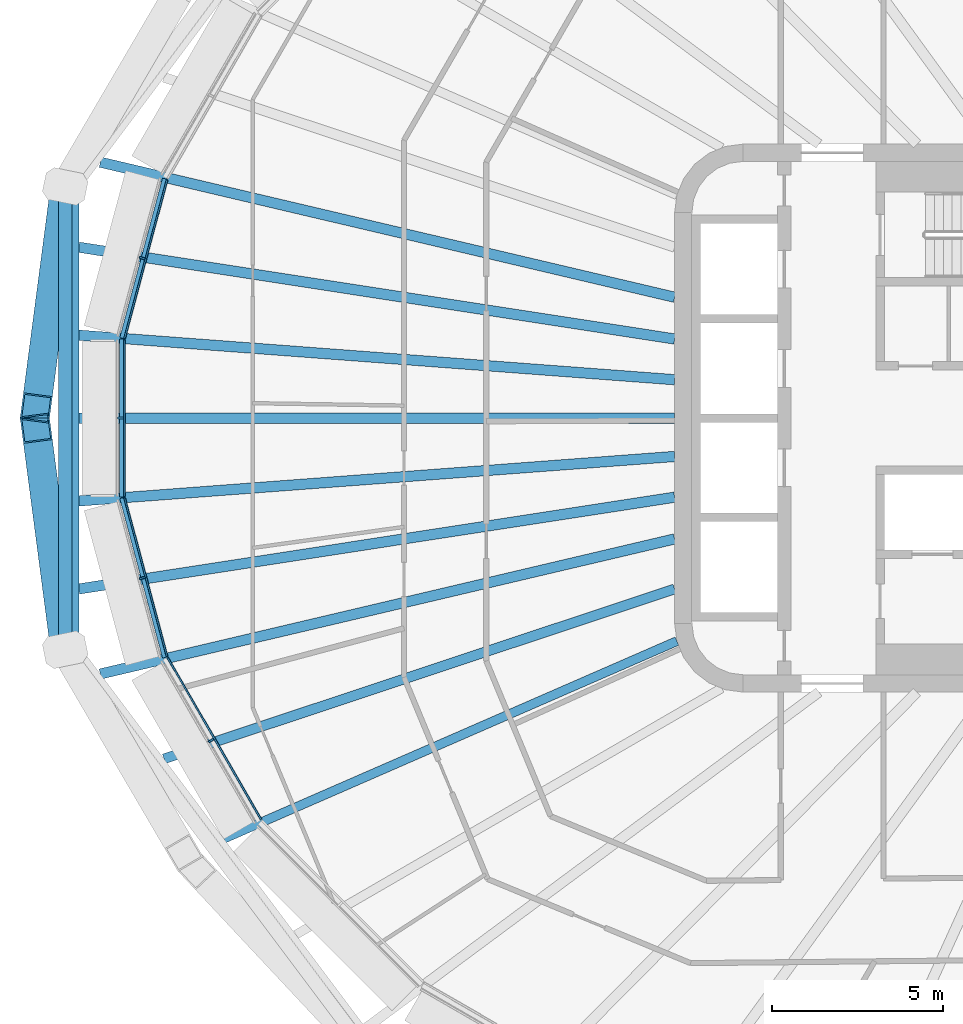
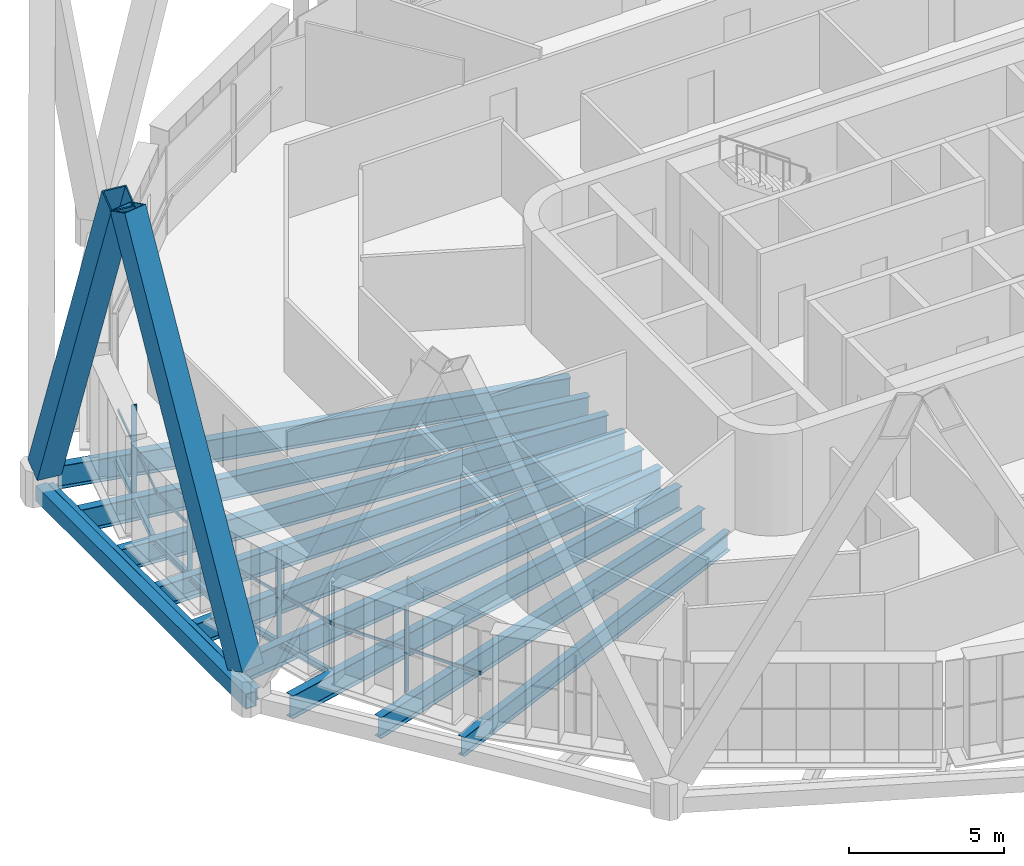
# One storey, part 3 of 25: 14 beams, 10 members, 4 elements without a shape of their own.
"""IFC4 building model written with IfcOpenShell, lengths in metres."""

from ifc_helpers import new_model, si_unit, direction, frame, origin, origin_2d, place, context, subcontext, project, spatial, rectangle, hollow_rectangle, i_section, extrude, material, layer, layer_set, material_profile, profile_set, type_object, element, aggregate, save


model = new_model("IFC4")

# Units and contexts
model_context = context("Model", 3, precision=1e-05, world=origin(), true_north=direction((0.0, 1.0)))
body_context = subcontext(model_context, "Body", "Model", "MODEL_VIEW")
ifc_project = project(units=[si_unit("LENGTHUNIT", "METRE"), si_unit("AREAUNIT", "SQUARE_METRE"), si_unit("VOLUMEUNIT", "CUBIC_METRE"), si_unit("PLANEANGLEUNIT", "RADIAN"), si_unit("MASSUNIT", "GRAM", prefix="KILO")], contexts=[model_context])

# Site, building, storey
site_placement = place(None, origin())
site = spatial("IfcSite", under=ifc_project, at=site_placement, CompositionType="ELEMENT")
building_placement = place(site_placement, origin())
building = spatial("IfcBuilding", under=site, at=building_placement, Name="Sahrelin Media Tower", CompositionType="ELEMENT")
storey_placement = place(building_placement, frame((0.0, 0.0, 165.60009765625)))
storey = spatial("IfcBuildingStorey", under=building, at=storey_placement, Name="L34", CompositionType="ELEMENT", Elevation=165.60009765625)

# Members
ifc_material_1 = material(Name="Steel S460", Category="steel")
ifc_material_profile_1 = material_profile(ifc_material_1, hollow_rectangle(XDim=0.85009765625, YDim=0.85009765625, WallThickness=0.044921875, at=origin_2d()), Name="Diagrid diagonal DG4")
ifc_profile_set_1 = profile_set([ifc_material_profile_1], Name="Steel S460")
member_type_1 = type_object("IfcMemberType", Name="Diagrid diagonal DG4", PredefinedType="BRACE", material=ifc_profile_set_1)
for number, where, z_axis, x_axis, name in (
    (1, (-32.83349609375, 6.4677734375, 0.699951171875), (-0.050992594687, -0.388866604431, 0.919881796344), (0.991511602929, -0.130018234324, 0.0), "Diagrid diagonal D07-11"),
    (2, (-32.83349609375, -6.4677734375, 0.699951171875), (-0.050992594687, 0.388866604431, 0.919881796344), (-0.991511602929, -0.130018234324, 0.0), "Diagrid diagonal D07-12"),
):
    element("IfcMember", number, at=place(storey_placement, frame(where, z_axis=z_axis, x_axis=x_axis)), inside=storey, type_object=member_type_1, Name=name, PredefinedType="BRACE", context=body_context, shape_type="SweptSolid", body=[
        extrude(hollow_rectangle(XDim=0.85009765625, YDim=0.85009765625, WallThickness=0.044921875, at=origin_2d()), origin(), (0.0, 0.0, 1.0), 15.871337890625),
    ])

# Beams
ifc_material_profile_2 = material_profile(ifc_material_1, hollow_rectangle(XDim=0.39990234375, YDim=0.60009765625, WallThickness=0.030029296875, at=origin_2d()), Name="Diagrid ring beam RB1")
ifc_profile_set_2 = profile_set([ifc_material_profile_2], Name="Steel S460")
beam_type_1 = type_object("IfcBeamType", Name="Diagrid ring beam RB1", PredefinedType="BEAM", material=ifc_profile_set_2)
beam_1_placement = place(storey_placement, frame((-32.794677734375, 6.763671875, -0.4501953125), z_axis=(0.0, -1.0, 0.0), x_axis=(1.0, 0.0, 0.0)))
element("IfcBeam", 3, at=beam_1_placement, inside=storey, type_object=beam_type_1, Name="Diagrid ring beam RB07-05", PredefinedType="BEAM", context=body_context, shape_type="SweptSolid", body=[
    extrude(hollow_rectangle(XDim=0.39990234375, YDim=0.60009765625, WallThickness=0.030029296875, at=origin_2d()), origin(), (0.0, 0.0, 1.0), 13.52734375),
])
ifc_material_2 = material(Name="Steel S355", Category="steel")
ifc_material_profile_3 = material_profile(ifc_material_2, i_section(OverallWidth=0.14599609375, OverallDepth=0.25146484375, WebThickness=0.006103515625, FlangeThickness=0.008544921875, FilletRadius=0.007568359375, at=origin_2d()), Name="UB 254x146x31")
ifc_profile_set_3 = profile_set([ifc_material_profile_3], Name="Steel S355")
beam_type_2 = type_object("IfcBeamType", Name="Edge beam EB1", PredefinedType="BEAM", material=ifc_profile_set_3)
beam_2_placement = place(storey_placement, frame((-29.8828125, -6.98876953125, -0.27587890625), z_axis=(-0.258778273705, 0.96593675003, 0.0), x_axis=(-0.96593675003, -0.258778273705, 0.0)))
element("IfcBeam", 4, at=beam_2_placement, inside=storey, type_object=beam_type_2, Name="Edge beam L34-12", PredefinedType="BEAM", context=body_context, shape_type="SweptSolid", body=[
    extrude(i_section(OverallWidth=0.14599609375, OverallDepth=0.25146484375, WebThickness=0.006103515625, FlangeThickness=0.008544921875, FilletRadius=0.007568359375, at=origin_2d()), origin(), (0.0, 0.0, 1.0), 4.821044921875),
])
beam_3_placement = place(storey_placement, frame((-31.13427734375, -2.303466796875, -0.27587890625), z_axis=(0.0, 1.0, 0.0), x_axis=(-1.0, 0.0, 0.0)))
element("IfcBeam", 5, at=beam_3_placement, inside=storey, type_object=beam_type_2, Name="Edge beam L34-13", PredefinedType="BEAM", context=body_context, shape_type="SweptSolid", body=[
    extrude(i_section(OverallWidth=0.14599609375, OverallDepth=0.25146484375, WebThickness=0.006103515625, FlangeThickness=0.008544921875, FilletRadius=0.007568359375, at=origin_2d()), origin(), (0.0, 0.0, 1.0), 4.60693359375),
])
beam_4_placement = place(storey_placement, frame((-31.13037109375, 2.33203125, -0.27587890625), z_axis=(0.258778273705, 0.96593675003, 0.0), x_axis=(-0.96593675003, 0.258778273705, 0.0)))
element("IfcBeam", 6, at=beam_4_placement, inside=storey, type_object=beam_type_2, Name="Edge beam L34-14", PredefinedType="BEAM", context=body_context, shape_type="SweptSolid", body=[
    extrude(i_section(OverallWidth=0.14599609375, OverallDepth=0.25146484375, WebThickness=0.006103515625, FlangeThickness=0.008544921875, FilletRadius=0.007568359375, at=origin_2d()), origin(), (0.0, 0.0, 1.0), 4.821044921875),
])

# Curtain wall, member
ifc_material_3 = material(Name="Champagne anodised aluminium 6063-T6", Category="aluminium")
ifc_layer = layer(ifc_material_3, 0.14990234375)
ifc_layer_set = layer_set([ifc_layer], Name="Tower ribbon curtain wall")
curtain_wall_type = type_object("IfcCurtainWallType", Name="Tower ribbon curtain wall", PredefinedType="NOTDEFINED", material=ifc_layer_set)
curtain_wall_1_placement = place(storey_placement, frame((-30.651611328125, 4.69921875, 0.0), z_axis=(0.0, 0.0, 1.0), x_axis=(1.0, 0.0, 0.0)))
curtain_wall_1 = element("IfcCurtainWall", 7, at=curtain_wall_1_placement, inside=storey, type_object=curtain_wall_type, Name="L34:CW:L34-11", PredefinedType="NOTDEFINED")
ifc_material_profile_4 = material_profile(ifc_material_3, rectangle(XDim=0.06005859375, YDim=0.175048828125, at=origin_2d()), Name="Mullion 60x175")
ifc_profile_set_4 = profile_set([ifc_material_profile_4], Name="Champagne anodised aluminium 6063-T6")
member_type_2 = type_object("IfcMemberType", Name="Mullion 60x175 CW1B", PredefinedType="MULLION", material=ifc_profile_set_4)
member_1_placement = place(storey_placement, frame((-30.547607421875, 4.67138671875, 0.0), z_axis=(0.0, 0.0, 1.0), x_axis=(-0.258813987523, -0.965927181449, 0.0)))
member_1 = element("IfcMember", 8, at=member_1_placement, type_object=member_type_2, Name="L34:CWM:L34-11", PredefinedType="MULLION", context=body_context, shape_type="SweptSolid", body=[
    extrude(rectangle(XDim=0.06005859375, YDim=0.175048828125, at=origin_2d()), origin(), (0.0, 0.0, 1.0), 3.448486328125),
])

curtain_wall_2_placement = place(storey_placement, frame((-31.2841796875, 0.0, 0.0), z_axis=(0.0, 0.0, 1.0), x_axis=(1.0, 0.0, 0.0)))
curtain_wall_2 = element("IfcCurtainWall", 9, at=curtain_wall_2_placement, inside=storey, type_object=curtain_wall_type, Name="L34:CW:L34-12", PredefinedType="NOTDEFINED")
member_2_placement = place(storey_placement, frame((-31.1767578125, 0.0, 0.0), z_axis=(0.0, 0.0, 1.0), x_axis=(0.0, -1.0, 0.0)))
member_2 = element("IfcMember", 10, at=member_2_placement, type_object=member_type_2, Name="L34:CWM:L34-12", PredefinedType="MULLION", context=body_context, shape_type="SweptSolid", body=[
    extrude(rectangle(XDim=0.06005859375, YDim=0.175048828125, at=origin_2d()), origin(), (0.0, 0.0, 1.0), 3.448486328125),
])

curtain_wall_3_placement = place(storey_placement, frame((-30.6513671875, -4.69921875, 0.0), z_axis=(0.0, 0.0, 1.0), x_axis=(1.0, 0.0, 0.0)))
curtain_wall_3 = element("IfcCurtainWall", 11, at=curtain_wall_3_placement, inside=storey, type_object=curtain_wall_type, Name="L34:CW:L34-13", PredefinedType="NOTDEFINED")
member_3_placement = place(storey_placement, frame((-30.547607421875, -4.67138671875, 0.0), z_axis=(0.0, 0.0, 1.0), x_axis=(0.258813987523, -0.965927181449, 0.0)))
member_3 = element("IfcMember", 12, at=member_3_placement, type_object=member_type_2, Name="L34:CWM:L34-13", PredefinedType="MULLION", context=body_context, shape_type="SweptSolid", body=[
    extrude(rectangle(XDim=0.06005859375, YDim=0.175048828125, at=origin_2d()), origin(), (0.0, 0.0, 1.0), 3.448486328125),
])

curtain_wall_4_placement = place(storey_placement, frame((-28.6279296875, -9.4697265625, 0.0), z_axis=(0.0, 0.0, 1.0), x_axis=(1.0, 0.0, 0.0)))
curtain_wall_4 = element("IfcCurtainWall", 13, at=curtain_wall_4_placement, inside=storey, type_object=curtain_wall_type, Name="L34:CW:L34-14", PredefinedType="NOTDEFINED")
member_4_placement = place(storey_placement, frame((-28.534912109375, -9.416015625, 0.0), z_axis=(0.0, 0.0, 1.0), x_axis=(0.500003022996, -0.86602365845, 0.0)))
member_4 = element("IfcMember", 14, at=member_4_placement, type_object=member_type_2, Name="L34:CWM:L34-14", PredefinedType="MULLION", context=body_context, shape_type="SweptSolid", body=[
    extrude(rectangle(XDim=0.06005859375, YDim=0.175048828125, at=origin_2d()), origin(), (0.0, 0.0, 1.0), 3.448486328125),
])

# Beams
ifc_material_profile_5 = material_profile(ifc_material_2, i_section(OverallWidth=0.30322265625, OverallDepth=0.903076171875, WebThickness=0.01513671875, FlangeThickness=0.020263671875, FilletRadius=0.01904296875, at=origin_2d()), Name="UB 914x305x201")
ifc_profile_set_5 = profile_set([ifc_material_profile_5], Name="Steel S355")
beam_type_3 = type_object("IfcBeamType", Name="Radial primary beam PB11", PredefinedType="BEAM", material=ifc_profile_set_5)
beam_5_placement = place(storey_placement, frame((-15.0, 3.5283203125, -0.6015625), z_axis=(-0.973436681, 0.228956389045, 0.0), x_axis=(-0.228956389045, -0.973436681, 0.0)))
element("IfcBeam", 15, at=beam_5_placement, inside=storey, type_object=beam_type_3, Name="Radial beam L34-11", PredefinedType="BEAM", context=body_context, shape_type="SweptSolid", body=[
    extrude(i_section(OverallWidth=0.30322265625, OverallDepth=0.903076171875, WebThickness=0.01513671875, FlangeThickness=0.020263671875, FilletRadius=0.01904296875, at=origin_2d()), origin(), (0.0, 0.0, 1.0), 17.226318359375),
])
for number, where, z_axis, x_axis, name in (
    (16, (-15.0, 1.120849609375, -0.6015625), (-0.997220246432, 0.074510268455, 0.0), (-0.074510268455, -0.997220246432, 0.0), "Radial beam L34-12"),
    (17, (-15.0, -1.120849609375, -0.6015625), (-0.997220246432, -0.074510268455, 0.0), (0.074510268455, -0.997220246432, 0.0), "Radial beam L34-13"),
):
    element("IfcBeam", number, at=place(storey_placement, frame(where, z_axis=z_axis, x_axis=x_axis)), inside=storey, type_object=beam_type_3, Name=name, PredefinedType="BEAM", context=body_context, shape_type="SweptSolid", body=[
        extrude(i_section(OverallWidth=0.30322265625, OverallDepth=0.903076171875, WebThickness=0.01513671875, FlangeThickness=0.020263671875, FilletRadius=0.01904296875, at=origin_2d()), origin(), (0.0, 0.0, 1.0), 17.447998046875),
    ])
beam_6_placement = place(storey_placement, frame((-15.0, -3.5283203125, -0.6015625), z_axis=(-0.973436681, -0.228956389045, 0.0), x_axis=(0.228956389045, -0.973436681, 0.0)))
element("IfcBeam", 18, at=beam_6_placement, inside=storey, type_object=beam_type_3, Name="Radial beam L34-14", PredefinedType="BEAM", context=body_context, shape_type="SweptSolid", body=[
    extrude(i_section(OverallWidth=0.30322265625, OverallDepth=0.903076171875, WebThickness=0.01513671875, FlangeThickness=0.020263671875, FilletRadius=0.01904296875, at=origin_2d()), origin(), (0.0, 0.0, 1.0), 17.226318359375),
])
ifc_material_profile_6 = material_profile(ifc_material_2, i_section(OverallWidth=0.26513671875, OverallDepth=0.75390625, WebThickness=0.0126953125, FlangeThickness=0.017578125, FilletRadius=0.0166015625, at=origin_2d()), Name="UB 762x267x147")
ifc_profile_set_6 = profile_set([ifc_material_profile_6], Name="Steel S355")
beam_type_4 = type_object("IfcBeamType", Name="Radial primary beam PB9", PredefinedType="BEAM", material=ifc_profile_set_6)
beam_7_placement = place(storey_placement, frame((-14.9326171875, -6.512451171875, -0.527099609375), z_axis=(-0.916619523291, -0.399760740346, 0.0), x_axis=(0.399760740346, -0.916619523291, 0.0)))
element("IfcBeam", 19, at=beam_7_placement, inside=storey, type_object=beam_type_4, Name="Radial beam L34-15", PredefinedType="BEAM", context=body_context, shape_type="SweptSolid", body=[
    extrude(i_section(OverallWidth=0.26513671875, OverallDepth=0.75390625, WebThickness=0.0126953125, FlangeThickness=0.017578125, FilletRadius=0.0166015625, at=origin_2d()), origin(), (0.0, 0.0, 1.0), 14.431884765625),
])
ifc_material_profile_7 = material_profile(ifc_material_2, i_section(OverallWidth=0.291748046875, OverallDepth=0.8349609375, WebThickness=0.013916015625, FlangeThickness=0.018798828125, FilletRadius=0.017822265625, at=origin_2d()), Name="UB 838x292x176")
ifc_profile_set_7 = profile_set([ifc_material_profile_7], Name="Steel S355")
beam_type_5 = type_object("IfcBeamType", Name="Radial secondary beam SB10", PredefinedType="BEAM", material=ifc_profile_set_7)
beam_8_placement = place(storey_placement, frame((-15.0, -4.98974609375, -0.567626953125), z_axis=(-0.948878876725, -0.315640424068, 0.0), x_axis=(0.315640424068, -0.948878876725, 0.0)))
element("IfcBeam", 20, at=beam_8_placement, inside=storey, type_object=beam_type_5, Name="Secondary beam L34-14", PredefinedType="BEAM", context=body_context, shape_type="SweptSolid", body=[
    extrude(i_section(OverallWidth=0.291748046875, OverallDepth=0.8349609375, WebThickness=0.013916015625, FlangeThickness=0.018798828125, FilletRadius=0.017822265625, at=origin_2d()), origin(), (0.0, 0.0, 1.0), 15.7138671875),
])
ifc_material_profile_8 = material_profile(ifc_material_2, i_section(OverallWidth=0.30322265625, OverallDepth=0.903076171875, WebThickness=0.01513671875, FlangeThickness=0.020263671875, FilletRadius=0.01904296875, at=origin_2d()), Name="UB 914x305x201")
ifc_profile_set_8 = profile_set([ifc_material_profile_8], Name="Steel S355")
beam_type_6 = type_object("IfcBeamType", Name="Radial secondary beam SB11", PredefinedType="BEAM", material=ifc_profile_set_8)
beam_9_placement = place(storey_placement, frame((-15.0, 2.31005859375, -0.6015625), z_axis=(-0.988349401934, 0.152202035784, 0.0), x_axis=(-0.152202035784, -0.988349401934, 0.0)))
element("IfcBeam", 21, at=beam_9_placement, inside=storey, type_object=beam_type_6, Name="Secondary beam L34-11", PredefinedType="BEAM", context=body_context, shape_type="SweptSolid", body=[
    extrude(i_section(OverallWidth=0.30322265625, OverallDepth=0.903076171875, WebThickness=0.01513671875, FlangeThickness=0.020263671875, FilletRadius=0.01904296875, at=origin_2d()), origin(), (0.0, 0.0, 1.0), 17.6044921875),
])
beam_10_placement = place(storey_placement, frame((-15.0, 0.0, -0.6015625), z_axis=(-1.0, 0.0, 0.0), x_axis=(0.0, -1.0, 0.0)))
element("IfcBeam", 22, at=beam_10_placement, inside=storey, type_object=beam_type_6, Name="Secondary beam L34-12", PredefinedType="BEAM", context=body_context, shape_type="SweptSolid", body=[
    extrude(i_section(OverallWidth=0.30322265625, OverallDepth=0.903076171875, WebThickness=0.01513671875, FlangeThickness=0.020263671875, FilletRadius=0.01904296875, at=origin_2d()), origin(), (0.0, 0.0, 1.0), 17.3994140625),
])
beam_11_placement = place(storey_placement, frame((-15.0, -2.31005859375, -0.6015625), z_axis=(-0.988349401934, -0.152202035784, 0.0), x_axis=(0.152202035784, -0.988349401934, 0.0)))
element("IfcBeam", 23, at=beam_11_placement, inside=storey, type_object=beam_type_6, Name="Secondary beam L34-13", PredefinedType="BEAM", context=body_context, shape_type="SweptSolid", body=[
    extrude(i_section(OverallWidth=0.30322265625, OverallDepth=0.903076171875, WebThickness=0.01513671875, FlangeThickness=0.020263671875, FilletRadius=0.01904296875, at=origin_2d()), origin(), (0.0, 0.0, 1.0), 17.6044921875),
])
ifc_material_profile_9 = material_profile(ifc_material_2, i_section(OverallWidth=0.1904296875, OverallDepth=0.45703125, WebThickness=0.009033203125, FlangeThickness=0.014404296875, FilletRadius=0.01025390625, at=origin_2d()), Name="UB 457x191x74")
ifc_profile_set_9 = profile_set([ifc_material_profile_9], Name="Steel S355")
beam_type_7 = type_object("IfcBeamType", Name="Tie chord TC5", PredefinedType="BEAM", material=ifc_profile_set_9)
beam_12_placement = place(storey_placement, frame((-32.494384765625, -6.66357421875, -0.378662109375), z_axis=(0.0, 1.0, 0.0), x_axis=(-1.0, 0.0, 0.0)))
element("IfcBeam", 24, at=beam_12_placement, inside=storey, type_object=beam_type_7, Name="Tie chord L34-07", PredefinedType="BEAM", context=body_context, shape_type="SweptSolid", body=[
    extrude(i_section(OverallWidth=0.1904296875, OverallDepth=0.45703125, WebThickness=0.009033203125, FlangeThickness=0.014404296875, FilletRadius=0.01025390625, at=origin_2d()), origin(), (0.0, 0.0, 1.0), 13.3271484375),
])

# Member
ifc_material_profile_10 = material_profile(ifc_material_3, rectangle(XDim=0.050048828125, YDim=0.110107421875, at=origin_2d()), Name="Transom 50x110")
ifc_profile_set_10 = profile_set([ifc_material_profile_10], Name="Champagne anodised aluminium 6063-T6")
member_type_3 = type_object("IfcMemberType", Name="Transom 50x110 CW1B", PredefinedType="USERDEFINED", material=ifc_profile_set_10)
member_5_placement = place(storey_placement, frame((-29.819091796875, 6.95556640625, 1.599853515625), z_axis=(-0.258836299126, -0.965921202922, 0.0), x_axis=(0.965921202922, -0.258836299126, 0.0)))
member_5 = element("IfcMember", 25, at=member_5_placement, type_object=member_type_3, Name="L34:CWT:L34-11", ObjectType="TRANSOM", PredefinedType="USERDEFINED", context=body_context, shape_type="SweptSolid", body=[
    extrude(rectangle(XDim=0.050048828125, YDim=0.110107421875, at=origin_2d()), origin(), (0.0, 0.0, 1.0), 4.789794921875),
])

aggregate(curtain_wall_1, [member_1, member_5])

member_6_placement = place(storey_placement, frame((-31.064208984375, 2.28759765625, 1.599853515625), z_axis=(0.0, -1.0, 0.0), x_axis=(1.0, 0.0, 0.0)))
member_6 = element("IfcMember", 26, at=member_6_placement, type_object=member_type_3, Name="L34:CWT:L34-12", ObjectType="TRANSOM", PredefinedType="USERDEFINED", context=body_context, shape_type="SweptSolid", body=[
    extrude(rectangle(XDim=0.050048828125, YDim=0.110107421875, at=origin_2d()), origin(), (0.0, 0.0, 1.0), 4.5751953125),
])

aggregate(curtain_wall_2, [member_2, member_6])

member_7_placement = place(storey_placement, frame((-31.058837890625, -2.3291015625, 1.599853515625), z_axis=(0.258836299126, -0.965921202922, 0.0), x_axis=(0.965921202922, 0.258836299126, 0.0)))
member_7 = element("IfcMember", 27, at=member_7_placement, type_object=member_type_3, Name="L34:CWT:L34-13", ObjectType="TRANSOM", PredefinedType="USERDEFINED", context=body_context, shape_type="SweptSolid", body=[
    extrude(rectangle(XDim=0.050048828125, YDim=0.110107421875, at=origin_2d()), origin(), (0.0, 0.0, 1.0), 4.789794921875),
])

aggregate(curtain_wall_3, [member_3, member_7])

member_8_placement = place(storey_placement, frame((-29.80322265625, -6.993896484375, 1.599853515625), z_axis=(0.499998384012, -0.866026336773, 0.0), x_axis=(0.866026336773, 0.499998384012, 0.0)))
member_8 = element("IfcMember", 28, at=member_8_placement, type_object=member_type_3, Name="L34:CWT:L34-14", ObjectType="TRANSOM", PredefinedType="USERDEFINED", context=body_context, shape_type="SweptSolid", body=[
    extrude(rectangle(XDim=0.050048828125, YDim=0.110107421875, at=origin_2d()), origin(), (0.0, 0.0, 1.0), 5.46337890625),
])

aggregate(curtain_wall_4, [member_4, member_8])

save(model, "model.ifc")
